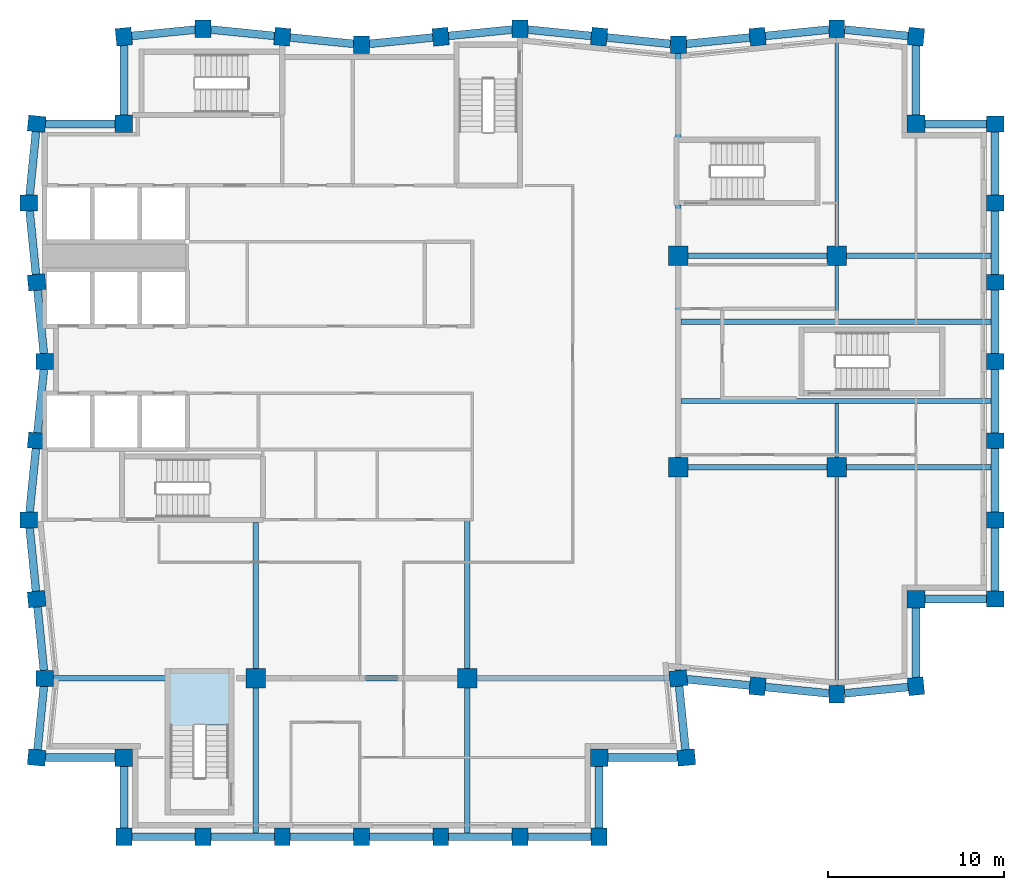
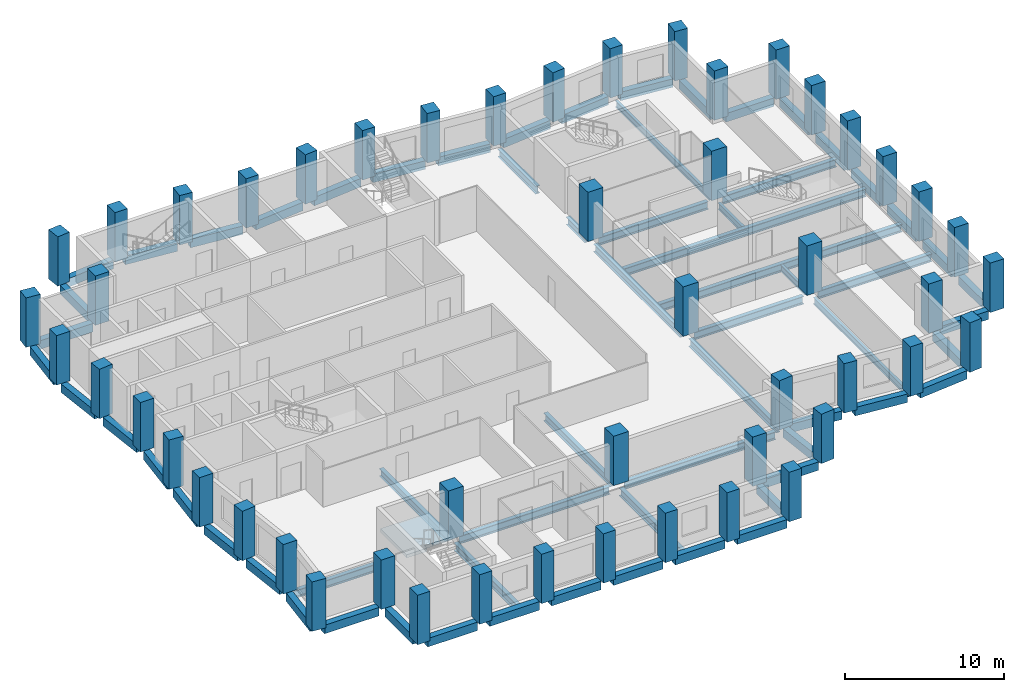
# One storey, part 1 of 7: 65 beams, 50 columns, 1 slab, 1 element without a shape of its own.
"""IFC4 building model written with IfcOpenShell, lengths in metres."""

from ifc_helpers import new_model, si_unit, direction, frame, origin, origin_2d, place, context, subcontext, project, spatial, polyline, rectangle, i_section, outline, extrude, material, layer, layer_set, material_profile, profile_set, type_object, element, aggregate, save


model = new_model("IFC4")

# Units and contexts
model_context = context("Model", 3, precision=1e-05, world=origin(), true_north=direction((0.0, 1.0)))
body_context = subcontext(model_context, "Body", "Model", "MODEL_VIEW")
ifc_project = project(units=[si_unit("LENGTHUNIT", "METRE"), si_unit("AREAUNIT", "SQUARE_METRE"), si_unit("VOLUMEUNIT", "CUBIC_METRE"), si_unit("PLANEANGLEUNIT", "RADIAN"), si_unit("MASSUNIT", "GRAM", prefix="KILO")], contexts=[model_context])

# Site, building, storey
site_placement = place(None, origin())
site = spatial("IfcSite", under=ifc_project, at=site_placement, CompositionType="ELEMENT")
building_placement = place(site_placement, origin())
building = spatial("IfcBuilding", under=site, at=building_placement, Name="Brondeck Convention Tower", CompositionType="ELEMENT")
storey_placement = place(building_placement, frame((0.0, 0.0, 202.60009765625)))
storey = spatial("IfcBuildingStorey", under=building, at=storey_placement, Name="L49", CompositionType="ELEMENT", Elevation=202.60009765625)

# Columns
ifc_material_1 = material(Name="Concrete C50/60", Category="concrete")
ifc_material_profile_1 = material_profile(ifc_material_1, rectangle(XDim=1.0, YDim=1.0, at=origin_2d()), Name="Corner column 1000x1000 Concrete C50/60")
ifc_profile_set_1 = profile_set([ifc_material_profile_1], Name="Concrete C50/60")
column_type_1 = type_object("IfcColumnType", Name="Corner column 1000x1000 Concrete C50/60", PredefinedType="COLUMN", material=ifc_profile_set_1)
for number, where, z_axis, x_axis, name in (
    (1, (4.5, 22.5, 0.0), (0.0, 0.0, 1.0), (1.0, 0.0, 0.0), "STR-COL-L49-NC-SWB18"),
    (2, (31.5, 22.5, 0.0), (0.0, 0.0, 1.0), (1.0, 0.0, 0.0), "STR-COL-L49-NC-SEB18"),
    (3, (49.5, 31.5, 0.0), (0.0, 0.0, 1.0), (1.0, 0.0, 0.0), "STR-COL-L49-NC-SEA54"),
    (4, (49.5, 58.5, 0.0), (0.0, 0.0, 1.0), (1.0, 0.0, 0.0), "STR-COL-L49-NC-NEA54"),
    (5, (4.5, 58.5, 0.0), (0.0, 0.0, 1.0), (1.0, 0.0, 0.0), "STR-COL-L49-NC-NW"),
):
    element("IfcColumn", number, at=place(storey_placement, frame(where, z_axis=z_axis, x_axis=x_axis)), inside=storey, type_object=column_type_1, Name=name, PredefinedType="COLUMN", context=body_context, shape_type="SweptSolid", body=[
        extrude(rectangle(XDim=1.0, YDim=1.0, at=origin_2d()), origin(), (0.0, 0.0, 1.0), 3.7998046875),
    ])
ifc_material_profile_2 = material_profile(ifc_material_1, rectangle(XDim=1.10009765625, YDim=1.10009765625, at=origin_2d()), Name="Interior column 1100x1100 Concrete C50/60")
ifc_profile_set_2 = profile_set([ifc_material_profile_2], Name="Concrete C50/60")
column_type_2 = type_object("IfcColumnType", Name="Interior column 1100x1100 Concrete C50/60", PredefinedType="COLUMN", material=ifc_profile_set_2)
for number, where, z_axis, x_axis, name in (
    (6, (12.0, 27.0, 0.0), (0.0, 0.0, 1.0), (1.0, 0.0, 0.0), "STR-COL-L49-IC-03"),
    (7, (24.0, 27.0, 0.0), (0.0, 0.0, 1.0), (1.0, 0.0, 0.0), "STR-COL-L49-IC-06"),
    (8, (36.0, 39.0, 0.0), (0.0, 0.0, 1.0), (1.0, 0.0, 0.0), "STR-COL-L49-IC-07"),
    (9, (36.0, 51.0, 0.0), (0.0, 0.0, 1.0), (1.0, 0.0, 0.0), "STR-COL-L49-IC-08"),
    (10, (45.0, 39.0, 0.0), (0.0, 0.0, 1.0), (1.0, 0.0, 0.0), "STR-COL-L49-IC-09"),
    (11, (45.0, 51.0, 0.0), (0.0, 0.0, 1.0), (1.0, 0.0, 0.0), "STR-COL-L49-IC-10"),
):
    element("IfcColumn", number, at=place(storey_placement, frame(where, z_axis=z_axis, x_axis=x_axis)), inside=storey, type_object=column_type_2, Name=name, PredefinedType="COLUMN", context=body_context, shape_type="SweptSolid", body=[
        extrude(rectangle(XDim=1.10009765625, YDim=1.10009765625, at=origin_2d()), origin(), (0.0, 0.0, 1.0), 3.7998046875),
    ])
ifc_material_profile_3 = material_profile(ifc_material_1, rectangle(XDim=0.89990234375, YDim=1.0, at=origin_2d()), Name="Perimeter pier 900x1000 Concrete C50/60")
ifc_profile_set_3 = profile_set([ifc_material_profile_3], Name="Concrete C50/60")
column_type_3 = type_object("IfcColumnType", Name="Perimeter pier 900x1000 Concrete C50/60", PredefinedType="COLUMN", material=ifc_profile_set_3)
for number, where, z_axis, x_axis, name in (
    (12, (4.5, 18.0, 0.0), (0.0, 0.0, 1.0), (1.0, 0.0, 0.0), "STR-COL-L49-PC-B-S18-01"),
    (13, (9.0, 18.0, 0.0), (0.0, 0.0, 1.0), (1.0, 0.0, 0.0), "STR-COL-L49-PC-B-S18-02"),
    (14, (13.5, 18.0, 0.0), (0.0, 0.0, 1.0), (1.0, 0.0, 0.0), "STR-COL-L49-PC-B-S18-03"),
    (15, (18.0, 18.0, 0.0), (0.0, 0.0, 1.0), (1.0, 0.0, 0.0), "STR-COL-L49-PC-B-S18-04"),
    (16, (22.5, 18.0, 0.0), (0.0, 0.0, 1.0), (1.0, 0.0, 0.0), "STR-COL-L49-PC-B-S18-05"),
    (17, (27.0, 18.0, 0.0), (0.0, 0.0, 1.0), (1.0, 0.0, 0.0), "STR-COL-L49-PC-B-S18-06"),
    (18, (31.5, 18.0, 0.0), (0.0, 0.0, 1.0), (1.0, 0.0, 0.0), "STR-COL-L49-PC-B-S18-07"),
    (19, (36.449951171875, 22.5, 0.0), (0.0, 0.0, 1.0), (-0.0995038382, 0.995037178292, 0.0), "STR-COL-L49-PC-B-E-01"),
    (20, (36.0, 27.0, 0.0), (0.0, 0.0, 1.0), (-0.0995038382, 0.995037178292, 0.0), "STR-COL-L49-PC-B-E-00"),
    (21, (40.5, 26.550048828125, 0.0), (0.0, 0.0, 1.0), (0.995037178292, -0.0995038382, 0.0), "STR-COL-L49-PC-A-S-01"),
    (22, (45.0, 26.10009765625, 0.0), (0.0, 0.0, 1.0), (1.0, 0.0, 0.0), "STR-COL-L49-PC-A-S-02"),
    (23, (49.5, 26.550048828125, 0.0), (0.0, 0.0, 1.0), (0.995037178292, 0.0995038382, 0.0), "STR-COL-L49-PC-A-S-03"),
    (24, (54.0, 31.5, 0.0), (0.0, 0.0, 1.0), (0.0, 1.0, 0.0), "STR-COL-L49-PC-A-E54-01"),
    (25, (54.0, 36.0, 0.0), (0.0, 0.0, 1.0), (0.0, 1.0, 0.0), "STR-COL-L49-PC-A-E54-02"),
    (26, (54.0, 40.5, 0.0), (0.0, 0.0, 1.0), (0.0, 1.0, 0.0), "STR-COL-L49-PC-A-E54-03"),
    (27, (54.0, 45.0, 0.0), (0.0, 0.0, 1.0), (0.0, 1.0, 0.0), "STR-COL-L49-PC-A-E54-04"),
    (28, (54.0, 49.5, 0.0), (0.0, 0.0, 1.0), (0.0, 1.0, 0.0), "STR-COL-L49-PC-A-E54-05"),
    (29, (54.0, 54.0, 0.0), (0.0, 0.0, 1.0), (0.0, 1.0, 0.0), "STR-COL-L49-PC-A-E54-06"),
    (30, (54.0, 58.5, 0.0), (0.0, 0.0, 1.0), (0.0, 1.0, 0.0), "STR-COL-L49-PC-A-E54-07"),
    (31, (49.5, 63.449951171875, 0.0), (0.0, 0.0, 1.0), (-0.995037178292, 0.0995038382, 0.0), "STR-COL-L49-PC-A-N-11"),
    (32, (45.0, 63.89990234375, 0.0), (0.0, 0.0, 1.0), (-1.0, 0.0, 0.0), "STR-COL-L49-PC-A-N-10"),
    (33, (40.5, 63.449951171875, 0.0), (0.0, 0.0, 1.0), (-0.995037178292, -0.0995038382, 0.0), "STR-COL-L49-PC-A-N-09"),
    (34, (36.0, 63.0, 0.0), (0.0, 0.0, 1.0), (-1.0, 0.0, 0.0), "STR-COL-L49-PC-A-N-08"),
    (35, (31.5, 63.449951171875, 0.0), (0.0, 0.0, 1.0), (-0.995037178292, 0.0995038382, 0.0), "STR-COL-L49-PC-A-N-07"),
    (36, (27.0, 63.89990234375, 0.0), (0.0, 0.0, 1.0), (-1.0, 0.0, 0.0), "STR-COL-L49-PC-A-N-06"),
    (37, (22.5, 63.449951171875, 0.0), (0.0, 0.0, 1.0), (-0.995037178292, -0.0995038382, 0.0), "STR-COL-L49-PC-A-N-05"),
    (38, (18.0, 63.0, 0.0), (0.0, 0.0, 1.0), (-1.0, 0.0, 0.0), "STR-COL-L49-PC-A-N-04"),
    (39, (13.5, 63.449951171875, 0.0), (0.0, 0.0, 1.0), (-0.995037178292, 0.0995038382, 0.0), "STR-COL-L49-PC-A-N-03"),
    (40, (9.0, 63.89990234375, 0.0), (0.0, 0.0, 1.0), (-1.0, 0.0, 0.0), "STR-COL-L49-PC-A-N-02"),
    (41, (4.5, 63.449951171875, 0.0), (0.0, 0.0, 1.0), (-0.995037178292, -0.0995038382, 0.0), "STR-COL-L49-PC-A-N-01"),
    (42, (-0.449951171875, 58.5, 0.0), (0.0, 0.0, 1.0), (-0.0995038382, -0.995037178292, 0.0), "STR-COL-L49-PC-B-W-01"),
    (43, (-0.89990234375, 54.0, 0.0), (0.0, 0.0, 1.0), (0.0, -1.0, 0.0), "STR-COL-L49-PC-B-W-02"),
    (44, (-0.449951171875, 49.5, 0.0), (0.0, 0.0, 1.0), (0.0995038382, -0.995037178292, 0.0), "STR-COL-L49-PC-B-W-03"),
    (45, (0.0, 45.0, 0.0), (0.0, 0.0, 1.0), (0.0, -1.0, 0.0), "STR-COL-L49-PC-B-W-04"),
    (46, (-0.449951171875, 40.5, 0.0), (0.0, 0.0, 1.0), (-0.0995038382, -0.995037178292, 0.0), "STR-COL-L49-PC-B-W-05"),
    (47, (-0.89990234375, 36.0, 0.0), (0.0, 0.0, 1.0), (0.0, -1.0, 0.0), "STR-COL-L49-PC-B-W-06"),
    (48, (-0.449951171875, 31.5, 0.0), (0.0, 0.0, 1.0), (0.0995038382, -0.995037178292, 0.0), "STR-COL-L49-PC-B-W-07"),
    (49, (0.0, 27.0, 0.0), (0.0, 0.0, 1.0), (0.0, -1.0, 0.0), "STR-COL-L49-PC-B-W-08"),
    (50, (-0.449951171875, 22.5, 0.0), (0.0, 0.0, 1.0), (-0.0995038382, -0.995037178292, 0.0), "STR-COL-L49-PC-B-W-09"),
):
    element("IfcColumn", number, at=place(storey_placement, frame(where, z_axis=z_axis, x_axis=x_axis)), inside=storey, type_object=column_type_3, Name=name, PredefinedType="COLUMN", context=body_context, shape_type="SweptSolid", body=[
        extrude(rectangle(XDim=0.89990234375, YDim=1.0, at=origin_2d()), origin(), (0.0, 0.0, 1.0), 3.7998046875),
    ])

# Beams
ifc_material_2 = material(Name="Steel S355", Category="steel")
ifc_material_profile_4 = material_profile(ifc_material_2, i_section(OverallWidth=0.199951171875, OverallDepth=0.5, WebThickness=0.01025390625, FlangeThickness=0.01611328125, FilletRadius=0.02099609375, at=origin_2d()), Name="IPE 500")
ifc_profile_set_4 = profile_set([ifc_material_profile_4], Name="Steel S355")
beam_type_1 = type_object("IfcBeamType", Name="Floor beam IPE 500", PredefinedType="BEAM", material=ifc_profile_set_4)
for number, where, z_axis, x_axis, name in (
    (51, (45.0, 26.60009765625, -0.550048828125), (0.0, 1.0, 0.0), (-1.0, 0.0, 0.0), "STR-FB-L49-001"),
    (52, (45.0, 51.550048828125, -0.550048828125), (0.0, 1.0, 0.0), (-1.0, 0.0, 0.0), "STR-FB-L49-002"),
):
    element("IfcBeam", number, at=place(storey_placement, frame(where, z_axis=z_axis, x_axis=x_axis)), inside=storey, type_object=beam_type_1, Name=name, PredefinedType="BEAM", context=body_context, shape_type="SweptSolid", body=[
        extrude(i_section(OverallWidth=0.199951171875, OverallDepth=0.5, WebThickness=0.01025390625, FlangeThickness=0.01611328125, FilletRadius=0.02099609375, at=origin_2d()), origin(), (0.0, 0.0, 1.0), 11.849853515625),
    ])
for number, where, z_axis, x_axis, name in (
    (53, (45.0, 39.550048828125, -0.550048828125), (0.0, 1.0, 0.0), (-1.0, 0.0, 0.0), "STR-FB-L49-003"),
    (54, (45.0, 47.39990234375, -0.550048828125), (0.0, 1.0, 0.0), (-1.0, 0.0, 0.0), "STR-FB-L49-004"),
):
    element("IfcBeam", number, at=place(storey_placement, frame(where, z_axis=z_axis, x_axis=x_axis)), inside=storey, type_object=beam_type_1, Name=name, PredefinedType="BEAM", context=body_context, shape_type="SweptSolid", body=[
        extrude(i_section(OverallWidth=0.199951171875, OverallDepth=0.5, WebThickness=0.01025390625, FlangeThickness=0.01611328125, FilletRadius=0.02099609375, at=origin_2d()), origin(), (0.0, 0.0, 1.0), 3.050048828125),
    ])
ifc_material_profile_5 = material_profile(ifc_material_2, i_section(OverallWidth=0.300048828125, OverallDepth=0.60009765625, WebThickness=0.015380859375, FlangeThickness=0.030029296875, FilletRadius=0.027099609375, at=origin_2d()), Name="HEB 600")
ifc_profile_set_5 = profile_set([ifc_material_profile_5], Name="Steel S355")
beam_type_2 = type_object("IfcBeamType", Name="Girder HEB 600", PredefinedType="BEAM", material=ifc_profile_set_5)
beam_1_placement = place(storey_placement, frame((36.550048828125, 39.0, -0.60009765625), z_axis=(1.0, 0.0, 0.0), x_axis=(0.0, 1.0, 0.0)))
element("IfcBeam", 55, at=beam_1_placement, inside=storey, type_object=beam_type_2, Name="STR-GR-L49-001", PredefinedType="BEAM", context=body_context, shape_type="SweptSolid", body=[
    extrude(i_section(OverallWidth=0.300048828125, OverallDepth=0.60009765625, WebThickness=0.015380859375, FlangeThickness=0.030029296875, FilletRadius=0.027099609375, at=origin_2d()), origin(), (0.0, 0.0, 1.0), 7.89990234375),
])
beam_2_placement = place(storey_placement, frame((45.550048828125, 39.0, -0.60009765625), z_axis=(1.0, 0.0, 0.0), x_axis=(0.0, 1.0, 0.0)))
element("IfcBeam", 56, at=beam_2_placement, inside=storey, type_object=beam_type_2, Name="STR-GR-L49-002", PredefinedType="BEAM", context=body_context, shape_type="SweptSolid", body=[
    extrude(i_section(OverallWidth=0.300048828125, OverallDepth=0.60009765625, WebThickness=0.015380859375, FlangeThickness=0.030029296875, FilletRadius=0.027099609375, at=origin_2d()), origin(), (0.0, 0.0, 1.0), 8.224853515625),
])
beam_3_placement = place(storey_placement, frame((36.550048828125, 51.0, -0.60009765625), z_axis=(1.0, 0.0, 0.0), x_axis=(0.0, 1.0, 0.0)))
element("IfcBeam", 57, at=beam_3_placement, inside=storey, type_object=beam_type_2, Name="STR-GR-L49-003", PredefinedType="BEAM", context=body_context, shape_type="SweptSolid", body=[
    extrude(i_section(OverallWidth=0.300048828125, OverallDepth=0.60009765625, WebThickness=0.015380859375, FlangeThickness=0.030029296875, FilletRadius=0.027099609375, at=origin_2d()), origin(), (0.0, 0.0, 1.0), 7.89990234375),
])
beam_4_placement = place(storey_placement, frame((45.550048828125, 51.0, -0.60009765625), z_axis=(1.0, 0.0, 0.0), x_axis=(0.0, 1.0, 0.0)))
element("IfcBeam", 58, at=beam_4_placement, inside=storey, type_object=beam_type_2, Name="STR-GR-L49-004", PredefinedType="BEAM", context=body_context, shape_type="SweptSolid", body=[
    extrude(i_section(OverallWidth=0.300048828125, OverallDepth=0.60009765625, WebThickness=0.015380859375, FlangeThickness=0.030029296875, FilletRadius=0.027099609375, at=origin_2d()), origin(), (0.0, 0.0, 1.0), 8.224853515625),
])
beam_5_placement = place(storey_placement, frame((36.0, 27.4521484375, -0.60009765625), z_axis=(0.0, 1.0, 0.0), x_axis=(-1.0, 0.0, 0.0)))
element("IfcBeam", 59, at=beam_5_placement, inside=storey, type_object=beam_type_2, Name="STR-GR-L49-005", PredefinedType="BEAM", context=body_context, shape_type="SweptSolid", body=[
    extrude(i_section(OverallWidth=0.300048828125, OverallDepth=0.60009765625, WebThickness=0.015380859375, FlangeThickness=0.030029296875, FilletRadius=0.027099609375, at=origin_2d()), origin(), (0.0, 0.0, 1.0), 10.997802734375),
])
beam_6_placement = place(storey_placement, frame((36.0, 39.550048828125, -0.60009765625), z_axis=(0.0, 1.0, 0.0), x_axis=(-1.0, 0.0, 0.0)))
element("IfcBeam", 60, at=beam_6_placement, inside=storey, type_object=beam_type_2, Name="STR-GR-L49-006", PredefinedType="BEAM", context=body_context, shape_type="SweptSolid", body=[
    extrude(i_section(OverallWidth=0.300048828125, OverallDepth=0.60009765625, WebThickness=0.015380859375, FlangeThickness=0.030029296875, FilletRadius=0.027099609375, at=origin_2d()), origin(), (0.0, 0.0, 1.0), 10.89990234375),
])
beam_7_placement = place(storey_placement, frame((36.0, 51.550048828125, -0.60009765625), z_axis=(0.0, 1.0, 0.0), x_axis=(-1.0, 0.0, 0.0)))
element("IfcBeam", 61, at=beam_7_placement, inside=storey, type_object=beam_type_2, Name="STR-GR-L49-007", PredefinedType="BEAM", context=body_context, shape_type="SweptSolid", body=[
    extrude(i_section(OverallWidth=0.300048828125, OverallDepth=0.60009765625, WebThickness=0.015380859375, FlangeThickness=0.030029296875, FilletRadius=0.027099609375, at=origin_2d()), origin(), (0.0, 0.0, 1.0), 2.329833984375),
])
beam_8_placement = place(storey_placement, frame((36.0, 57.719970703125, -0.60009765625), z_axis=(0.0, 1.0, 0.0), x_axis=(-1.0, 0.0, 0.0)))
element("IfcBeam", 62, at=beam_8_placement, inside=storey, type_object=beam_type_2, Name="STR-GR-L49-008", PredefinedType="BEAM", context=body_context, shape_type="SweptSolid", body=[
    extrude(i_section(OverallWidth=0.300048828125, OverallDepth=0.60009765625, WebThickness=0.015380859375, FlangeThickness=0.030029296875, FilletRadius=0.027099609375, at=origin_2d()), origin(), (0.0, 0.0, 1.0), 4.780029296875),
])
beam_9_placement = place(storey_placement, frame((12.0, 35.85009765625, -0.60009765625), z_axis=(0.0, -1.0, 0.0), x_axis=(1.0, 0.0, 0.0)))
element("IfcBeam", 63, at=beam_9_placement, inside=storey, type_object=beam_type_2, Name="STR-GR-L49-009", PredefinedType="BEAM", context=body_context, shape_type="SweptSolid", body=[
    extrude(i_section(OverallWidth=0.300048828125, OverallDepth=0.60009765625, WebThickness=0.015380859375, FlangeThickness=0.030029296875, FilletRadius=0.027099609375, at=origin_2d()), origin(), (0.0, 0.0, 1.0), 8.300048828125),
])
beam_10_placement = place(storey_placement, frame((12.0, 26.449951171875, -0.60009765625), z_axis=(0.0, -1.0, 0.0), x_axis=(1.0, 0.0, 0.0)))
element("IfcBeam", 64, at=beam_10_placement, inside=storey, type_object=beam_type_2, Name="STR-GR-L49-010", PredefinedType="BEAM", context=body_context, shape_type="SweptSolid", body=[
    extrude(i_section(OverallWidth=0.300048828125, OverallDepth=0.60009765625, WebThickness=0.015380859375, FlangeThickness=0.030029296875, FilletRadius=0.027099609375, at=origin_2d()), origin(), (0.0, 0.0, 1.0), 8.224853515625),
])
beam_11_placement = place(storey_placement, frame((24.0, 35.955078125, -0.60009765625), z_axis=(0.0, -1.0, 0.0), x_axis=(1.0, 0.0, 0.0)))
element("IfcBeam", 65, at=beam_11_placement, inside=storey, type_object=beam_type_2, Name="STR-GR-L49-011", PredefinedType="BEAM", context=body_context, shape_type="SweptSolid", body=[
    extrude(i_section(OverallWidth=0.300048828125, OverallDepth=0.60009765625, WebThickness=0.015380859375, FlangeThickness=0.030029296875, FilletRadius=0.027099609375, at=origin_2d()), origin(), (0.0, 0.0, 1.0), 8.405029296875),
])
beam_12_placement = place(storey_placement, frame((24.0, 26.449951171875, -0.60009765625), z_axis=(0.0, -1.0, 0.0), x_axis=(1.0, 0.0, 0.0)))
element("IfcBeam", 66, at=beam_12_placement, inside=storey, type_object=beam_type_2, Name="STR-GR-L49-012", PredefinedType="BEAM", context=body_context, shape_type="SweptSolid", body=[
    extrude(i_section(OverallWidth=0.300048828125, OverallDepth=0.60009765625, WebThickness=0.015380859375, FlangeThickness=0.030029296875, FilletRadius=0.027099609375, at=origin_2d()), origin(), (0.0, 0.0, 1.0), 8.224853515625),
])
beam_13_placement = place(storey_placement, frame((0.5, 27.0, -0.60009765625), z_axis=(1.0, 0.0, 0.0), x_axis=(0.0, 1.0, 0.0)))
element("IfcBeam", 67, at=beam_13_placement, inside=storey, type_object=beam_type_2, Name="STR-GR-L49-013", PredefinedType="BEAM", context=body_context, shape_type="SweptSolid", body=[
    extrude(i_section(OverallWidth=0.300048828125, OverallDepth=0.60009765625, WebThickness=0.015380859375, FlangeThickness=0.030029296875, FilletRadius=0.027099609375, at=origin_2d()), origin(), (0.0, 0.0, 1.0), 6.3798828125),
])
beam_14_placement = place(storey_placement, frame((12.550048828125, 27.0, -0.60009765625), z_axis=(1.0, 0.0, 0.0), x_axis=(0.0, 1.0, 0.0)))
element("IfcBeam", 68, at=beam_14_placement, inside=storey, type_object=beam_type_2, Name="STR-GR-L49-014", PredefinedType="BEAM", context=body_context, shape_type="SweptSolid", body=[
    extrude(i_section(OverallWidth=0.300048828125, OverallDepth=0.60009765625, WebThickness=0.015380859375, FlangeThickness=0.030029296875, FilletRadius=0.027099609375, at=origin_2d()), origin(), (0.0, 0.0, 1.0), 10.89990234375),
])
beam_15_placement = place(storey_placement, frame((24.550048828125, 27.0, -0.60009765625), z_axis=(1.0, 0.0, 0.0), x_axis=(0.0, 1.0, 0.0)))
element("IfcBeam", 69, at=beam_15_placement, inside=storey, type_object=beam_type_2, Name="STR-GR-L49-015", PredefinedType="BEAM", context=body_context, shape_type="SweptSolid", body=[
    extrude(i_section(OverallWidth=0.300048828125, OverallDepth=0.60009765625, WebThickness=0.015380859375, FlangeThickness=0.030029296875, FilletRadius=0.027099609375, at=origin_2d()), origin(), (0.0, 0.0, 1.0), 10.947509765625),
])
for number, where, z_axis, x_axis, name in (
    (70, (36.14990234375, 42.75, -0.60009765625), (1.0, 0.0, 0.0), (0.0, 1.0, 0.0), "STR-GR-L49-016"),
    (71, (36.14990234375, 47.25, -0.60009765625), (1.0, 0.0, 0.0), (0.0, 1.0, 0.0), "STR-GR-L49-017"),
):
    element("IfcBeam", number, at=place(storey_placement, frame(where, z_axis=z_axis, x_axis=x_axis)), inside=storey, type_object=beam_type_2, Name=name, PredefinedType="BEAM", context=body_context, shape_type="SweptSolid", body=[
        extrude(i_section(OverallWidth=0.300048828125, OverallDepth=0.60009765625, WebThickness=0.015380859375, FlangeThickness=0.030029296875, FilletRadius=0.027099609375, at=origin_2d()), origin(), (0.0, 0.0, 1.0), 17.625),
    ])
ifc_material_profile_6 = material_profile(ifc_material_1, rectangle(XDim=0.449951171875, YDim=0.64990234375, at=origin_2d()), Name="Precast spandrel 450x650 Concrete C50/60")
ifc_profile_set_6 = profile_set([ifc_material_profile_6], Name="Concrete C50/60")
beam_type_3 = type_object("IfcBeamType", Name="Precast spandrel 450x650 Concrete C50/60", PredefinedType="SPANDREL", material=ifc_profile_set_6)
for number, where, z_axis, x_axis, name in (
    (72, (4.949951171875, 18.0, -0.3251953125), (1.0, 0.0, 0.0), (0.0, 1.0, 0.0), "STR-SP-L49-001"),
    (73, (9.449951171875, 18.0, -0.3251953125), (1.0, 0.0, 0.0), (0.0, 1.0, 0.0), "STR-SP-L49-002"),
    (74, (13.949951171875, 18.0, -0.3251953125), (1.0, 0.0, 0.0), (0.0, 1.0, 0.0), "STR-SP-L49-003"),
    (75, (18.449951171875, 18.0, -0.3251953125), (1.0, 0.0, 0.0), (0.0, 1.0, 0.0), "STR-SP-L49-004"),
    (76, (22.949951171875, 18.0, -0.3251953125), (1.0, 0.0, 0.0), (0.0, 1.0, 0.0), "STR-SP-L49-005"),
    (77, (27.449951171875, 18.0, -0.3251953125), (1.0, 0.0, 0.0), (0.0, 1.0, 0.0), "STR-SP-L49-006"),
):
    element("IfcBeam", number, at=place(storey_placement, frame(where, z_axis=z_axis, x_axis=x_axis)), inside=storey, type_object=beam_type_3, Name=name, PredefinedType="SPANDREL", context=body_context, shape_type="SweptSolid", body=[
        extrude(rectangle(XDim=0.449951171875, YDim=0.64990234375, at=origin_2d()), origin(), (0.0, 0.0, 1.0), 3.60009765625),
    ])
beam_16_placement = place(storey_placement, frame((31.5, 18.5, -0.3251953125), z_axis=(0.0, 1.0, 0.0), x_axis=(-1.0, 0.0, 0.0)))
element("IfcBeam", 78, at=beam_16_placement, inside=storey, type_object=beam_type_3, Name="STR-SP-L49-007", PredefinedType="SPANDREL", context=body_context, shape_type="SweptSolid", body=[
    extrude(rectangle(XDim=0.449951171875, YDim=0.64990234375, at=origin_2d()), origin(), (0.0, 0.0, 1.0), 3.5),
])
beam_17_placement = place(storey_placement, frame((32.0, 22.5, -0.3251953125), z_axis=(1.0, 0.0, 0.0), x_axis=(0.0, 1.0, 0.0)))
element("IfcBeam", 79, at=beam_17_placement, inside=storey, type_object=beam_type_3, Name="STR-SP-L49-008", PredefinedType="SPANDREL", context=body_context, shape_type="SweptSolid", body=[
    extrude(rectangle(XDim=0.449951171875, YDim=0.64990234375, at=origin_2d()), origin(), (0.0, 0.0, 1.0), 3.947509765625),
])
beam_18_placement = place(storey_placement, frame((36.4052734375, 22.94775390625, -0.3251953125), z_axis=(-0.099543756114, 0.995033185687, 0.0), x_axis=(-0.995033185687, -0.099543756114, 0.0)))
element("IfcBeam", 80, at=beam_18_placement, inside=storey, type_object=beam_type_3, Name="STR-SP-L49-009", PredefinedType="SPANDREL", context=body_context, shape_type="SweptSolid", body=[
    extrude(rectangle(XDim=0.449951171875, YDim=0.64990234375, at=origin_2d()), origin(), (0.0, 0.0, 1.0), 3.62255859375),
])
beam_19_placement = place(storey_placement, frame((36.507568359375, 26.94921875, -0.3251953125), z_axis=(0.995036511638, -0.099510504504, 0.0), x_axis=(0.099510504504, 0.995036511638, 0.0)))
element("IfcBeam", 81, at=beam_19_placement, inside=storey, type_object=beam_type_3, Name="STR-SP-L49-010", PredefinedType="SPANDREL", context=body_context, shape_type="SweptSolid", body=[
    extrude(rectangle(XDim=0.449951171875, YDim=0.64990234375, at=origin_2d()), origin(), (0.0, 0.0, 1.0), 3.562255859375),
])
for number, where, z_axis, x_axis, name in (
    (82, (40.94775390625, 26.505126953125, -0.3251953125), (0.995040528141, -0.099470334057, 0.0), (0.099470334057, 0.995040528141, 0.0), "STR-SP-L49-011"),
    (83, (45.449951171875, 26.14501953125, -0.3251953125), (0.995040528141, 0.099470334057, 0.0), (-0.099470334057, 0.995040528141, 0.0), "STR-SP-L49-012"),
):
    element("IfcBeam", number, at=place(storey_placement, frame(where, z_axis=z_axis, x_axis=x_axis)), inside=storey, type_object=beam_type_3, Name=name, PredefinedType="SPANDREL", context=body_context, shape_type="SweptSolid", body=[
        extrude(rectangle(XDim=0.449951171875, YDim=0.64990234375, at=origin_2d()), origin(), (0.0, 0.0, 1.0), 3.620361328125),
    ])
beam_20_placement = place(storey_placement, frame((49.5, 27.052490234375, -0.3251953125), z_axis=(0.0, 1.0, 0.0), x_axis=(-1.0, 0.0, 0.0)))
element("IfcBeam", 84, at=beam_20_placement, inside=storey, type_object=beam_type_3, Name="STR-SP-L49-013", PredefinedType="SPANDREL", context=body_context, shape_type="SweptSolid", body=[
    extrude(rectangle(XDim=0.449951171875, YDim=0.64990234375, at=origin_2d()), origin(), (0.0, 0.0, 1.0), 3.947509765625),
])
beam_21_placement = place(storey_placement, frame((50.0, 31.5, -0.3251953125), z_axis=(1.0, 0.0, 0.0), x_axis=(0.0, 1.0, 0.0)))
element("IfcBeam", 85, at=beam_21_placement, inside=storey, type_object=beam_type_3, Name="STR-SP-L49-014", PredefinedType="SPANDREL", context=body_context, shape_type="SweptSolid", body=[
    extrude(rectangle(XDim=0.449951171875, YDim=0.64990234375, at=origin_2d()), origin(), (0.0, 0.0, 1.0), 3.5),
])
for number, where, z_axis, x_axis, name in (
    (86, (54.0, 31.949951171875, -0.3251953125), (0.0, 1.0, 0.0), (-1.0, 0.0, 0.0), "STR-SP-L49-015"),
    (87, (54.0, 36.449951171875, -0.3251953125), (0.0, 1.0, 0.0), (-1.0, 0.0, 0.0), "STR-SP-L49-016"),
    (88, (54.0, 40.949951171875, -0.3251953125), (0.0, 1.0, 0.0), (-1.0, 0.0, 0.0), "STR-SP-L49-017"),
    (89, (54.0, 45.449951171875, -0.3251953125), (0.0, 1.0, 0.0), (-1.0, 0.0, 0.0), "STR-SP-L49-018"),
    (90, (54.0, 49.949951171875, -0.3251953125), (0.0, 1.0, 0.0), (-1.0, 0.0, 0.0), "STR-SP-L49-019"),
    (91, (54.0, 54.449951171875, -0.3251953125), (0.0, 1.0, 0.0), (-1.0, 0.0, 0.0), "STR-SP-L49-020"),
):
    element("IfcBeam", number, at=place(storey_placement, frame(where, z_axis=z_axis, x_axis=x_axis)), inside=storey, type_object=beam_type_3, Name=name, PredefinedType="SPANDREL", context=body_context, shape_type="SweptSolid", body=[
        extrude(rectangle(XDim=0.449951171875, YDim=0.64990234375, at=origin_2d()), origin(), (0.0, 0.0, 1.0), 3.60009765625),
    ])
beam_22_placement = place(storey_placement, frame((53.5, 58.5, -0.3251953125), z_axis=(-1.0, 0.0, 0.0), x_axis=(0.0, -1.0, 0.0)))
element("IfcBeam", 92, at=beam_22_placement, inside=storey, type_object=beam_type_3, Name="STR-SP-L49-021", PredefinedType="SPANDREL", context=body_context, shape_type="SweptSolid", body=[
    extrude(rectangle(XDim=0.449951171875, YDim=0.64990234375, at=origin_2d()), origin(), (0.0, 0.0, 1.0), 3.5),
])
beam_23_placement = place(storey_placement, frame((49.5, 59.0, -0.3251953125), z_axis=(0.0, 1.0, 0.0), x_axis=(-1.0, 0.0, 0.0)))
element("IfcBeam", 93, at=beam_23_placement, inside=storey, type_object=beam_type_3, Name="STR-SP-L49-022", PredefinedType="SPANDREL", context=body_context, shape_type="SweptSolid", body=[
    extrude(rectangle(XDim=0.449951171875, YDim=0.64990234375, at=origin_2d()), origin(), (0.0, 0.0, 1.0), 3.947509765625),
])
for number, where, z_axis, x_axis, name in (
    (94, (49.05224609375, 63.494873046875, -0.3251953125), (-0.995040528141, 0.099470334057, 0.0), (-0.099470334057, -0.995040528141, 0.0), "STR-SP-L49-023"),
    (95, (44.550048828125, 63.85498046875, -0.3251953125), (-0.995040528141, -0.099470334057, 0.0), (0.099470334057, -0.995040528141, 0.0), "STR-SP-L49-024"),
    (96, (40.05224609375, 63.4052734375, -0.3251953125), (-0.995033851182, -0.099537103649, 0.0), (0.099537103649, -0.995033851182, 0.0), "STR-SP-L49-025"),
    (97, (35.550048828125, 63.044921875, -0.3251953125), (-0.995033851182, 0.099537103649, 0.0), (-0.099537103649, -0.995033851182, 0.0), "STR-SP-L49-026"),
    (98, (31.05224609375, 63.494873046875, -0.3251953125), (-0.995040528141, 0.099470334057, 0.0), (-0.099470334057, -0.995040528141, 0.0), "STR-SP-L49-027"),
    (99, (26.550048828125, 63.85498046875, -0.3251953125), (-0.995040528141, -0.099470334057, 0.0), (0.099470334057, -0.995040528141, 0.0), "STR-SP-L49-028"),
    (100, (22.05224609375, 63.4052734375, -0.3251953125), (-0.995033851182, -0.099537103649, 0.0), (0.099537103649, -0.995033851182, 0.0), "STR-SP-L49-029"),
    (101, (17.550048828125, 63.044921875, -0.3251953125), (-0.995033851182, 0.099537103649, 0.0), (-0.099537103649, -0.995033851182, 0.0), "STR-SP-L49-030"),
    (102, (13.05224609375, 63.494873046875, -0.3251953125), (-0.995040528141, 0.099470334057, 0.0), (-0.099470334057, -0.995040528141, 0.0), "STR-SP-L49-031"),
    (103, (8.550048828125, 63.85498046875, -0.3251953125), (-0.995040528141, -0.099470334057, 0.0), (0.099470334057, -0.995040528141, 0.0), "STR-SP-L49-032"),
):
    element("IfcBeam", number, at=place(storey_placement, frame(where, z_axis=z_axis, x_axis=x_axis)), inside=storey, type_object=beam_type_3, Name=name, PredefinedType="SPANDREL", context=body_context, shape_type="SweptSolid", body=[
        extrude(rectangle(XDim=0.449951171875, YDim=0.64990234375, at=origin_2d()), origin(), (0.0, 0.0, 1.0), 3.620361328125),
    ])
for number, where, z_axis, x_axis, name in (
    (104, (4.5, 62.947509765625, -0.3251953125), (0.0, -1.0, 0.0), (1.0, 0.0, 0.0), "STR-SP-L49-033"),
    (105, (4.0, 58.5, -0.3251953125), (-1.0, 0.0, 0.0), (0.0, -1.0, 0.0), "STR-SP-L49-034"),
):
    element("IfcBeam", number, at=place(storey_placement, frame(where, z_axis=z_axis, x_axis=x_axis)), inside=storey, type_object=beam_type_3, Name=name, PredefinedType="SPANDREL", context=body_context, shape_type="SweptSolid", body=[
        extrude(rectangle(XDim=0.449951171875, YDim=0.64990234375, at=origin_2d()), origin(), (0.0, 0.0, 1.0), 3.947509765625),
    ])
for number, where, z_axis, x_axis, name in (
    (106, (-0.494873046875, 58.05224609375, -0.3251953125), (-0.099470334057, -0.995040528141, 0.0), (0.995040528141, -0.099470334057, 0.0), "STR-SP-L49-035"),
    (107, (-0.85498046875, 53.550048828125, -0.3251953125), (0.099470334057, -0.995040528141, 0.0), (0.995040528141, 0.099470334057, 0.0), "STR-SP-L49-036"),
    (108, (-0.4052734375, 49.05224609375, -0.3251953125), (0.099537103649, -0.995033851182, 0.0), (0.995033851182, 0.099537103649, 0.0), "STR-SP-L49-037"),
    (109, (-0.044921875, 44.550048828125, -0.3251953125), (-0.099537103649, -0.995033851182, 0.0), (0.995033851182, -0.099537103649, 0.0), "STR-SP-L49-038"),
    (110, (-0.494873046875, 40.05224609375, -0.3251953125), (-0.099470334057, -0.995040528141, 0.0), (0.995040528141, -0.099470334057, 0.0), "STR-SP-L49-039"),
    (111, (-0.85498046875, 35.550048828125, -0.3251953125), (0.099470334057, -0.995040528141, 0.0), (0.995040528141, 0.099470334057, 0.0), "STR-SP-L49-040"),
    (112, (-0.4052734375, 31.05224609375, -0.3251953125), (0.099537103649, -0.995033851182, 0.0), (0.995033851182, 0.099537103649, 0.0), "STR-SP-L49-041"),
    (113, (-0.044921875, 26.550048828125, -0.3251953125), (-0.099537103649, -0.995033851182, 0.0), (0.995033851182, -0.099537103649, 0.0), "STR-SP-L49-042"),
):
    element("IfcBeam", number, at=place(storey_placement, frame(where, z_axis=z_axis, x_axis=x_axis)), inside=storey, type_object=beam_type_3, Name=name, PredefinedType="SPANDREL", context=body_context, shape_type="SweptSolid", body=[
        extrude(rectangle(XDim=0.449951171875, YDim=0.64990234375, at=origin_2d()), origin(), (0.0, 0.0, 1.0), 3.620361328125),
    ])
beam_24_placement = place(storey_placement, frame((0.052490234375, 22.5, -0.3251953125), z_axis=(1.0, 0.0, 0.0), x_axis=(0.0, 1.0, 0.0)))
element("IfcBeam", 114, at=beam_24_placement, inside=storey, type_object=beam_type_3, Name="STR-SP-L49-043", PredefinedType="SPANDREL", context=body_context, shape_type="SweptSolid", body=[
    extrude(rectangle(XDim=0.449951171875, YDim=0.64990234375, at=origin_2d()), origin(), (0.0, 0.0, 1.0), 3.947509765625),
])
beam_25_placement = place(storey_placement, frame((4.5, 22.0, -0.3251953125), z_axis=(0.0, -1.0, 0.0), x_axis=(1.0, 0.0, 0.0)))
element("IfcBeam", 115, at=beam_25_placement, inside=storey, type_object=beam_type_3, Name="STR-SP-L49-044", PredefinedType="SPANDREL", context=body_context, shape_type="SweptSolid", body=[
    extrude(rectangle(XDim=0.449951171875, YDim=0.64990234375, at=origin_2d()), origin(), (0.0, 0.0, 1.0), 3.5),
])

# Stair, slab
ifc_material_3 = material(Name="Precast concrete C50/60", Category="concrete")
stair_type = type_object("IfcStairType", Name="Core stair 22 risers 172.73 mm riser 300 mm going 1350 wide", PredefinedType="HALF_TURN_STAIR", material=ifc_material_3)
stair_placement = place(storey_placement, origin())
stair = element("IfcStair", 116, at=stair_placement, inside=storey, type_object=stair_type, Name="ST-BE L49 stair", PredefinedType="HALF_TURN_STAIR")
ifc_layer = layer(ifc_material_3, 0.25)
ifc_layer_set = layer_set([ifc_layer], Name="Core stair landing 250 Precast concrete C50/60")
slab_type = type_object("IfcSlabType", Name="Core stair landing 250 Precast concrete C50/60", PredefinedType="LANDING", material=ifc_layer_set)
slab_placement = place(storey_placement, frame((0.0, 0.0, 1.64990234375)))
slab = element("IfcSlab", 117, at=slab_placement, type_object=slab_type, Name="ST-BE landing 1", PredefinedType="LANDING", context=body_context, shape_type="SweptSolid", body=[
    extrude(outline(polyline([(7.030029296875, 24.050048828125), (7.030029296875, 27.3701171875), (10.570068359375, 27.3701171875), (10.570068359375, 24.347900390625), (9.10009765625, 24.347900390625), (9.10009765625, 24.35009765625), (8.5, 24.35009765625), (8.5, 24.050048828125), (7.030029296875, 24.050048828125)])), origin(), (0.0, 0.0, 1.0), 0.25),
])
aggregate(stair, [slab])

save(model, "model.ifc")
